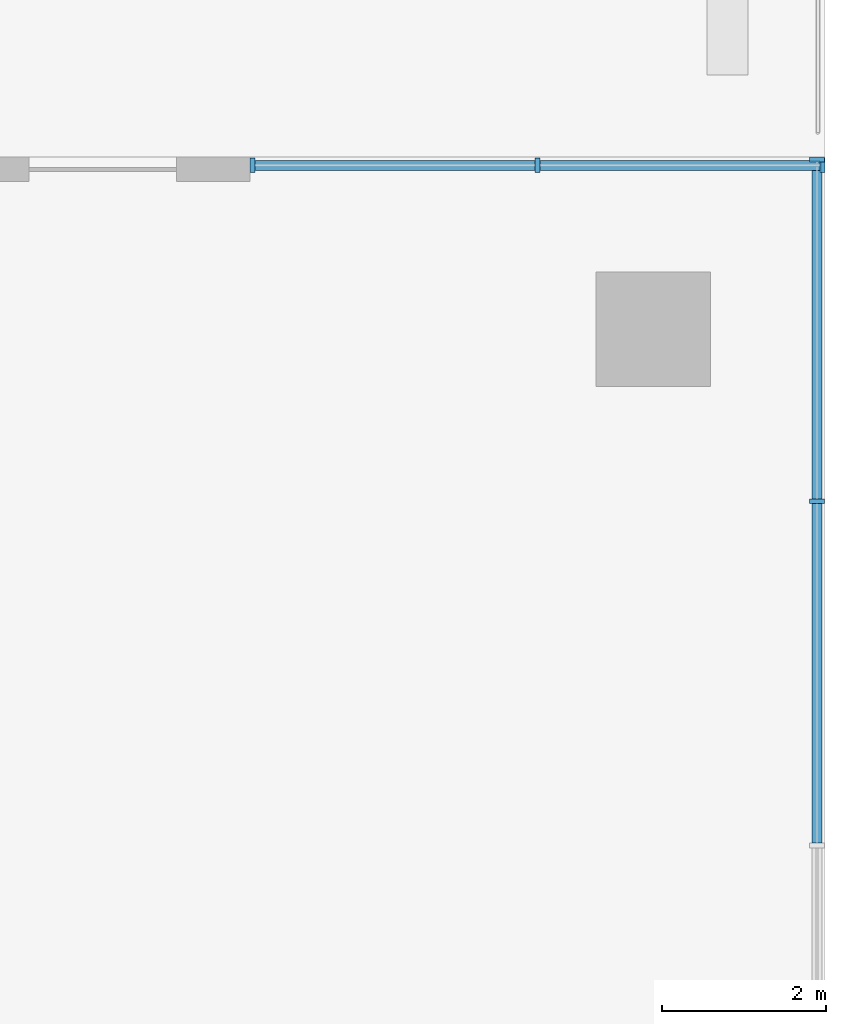
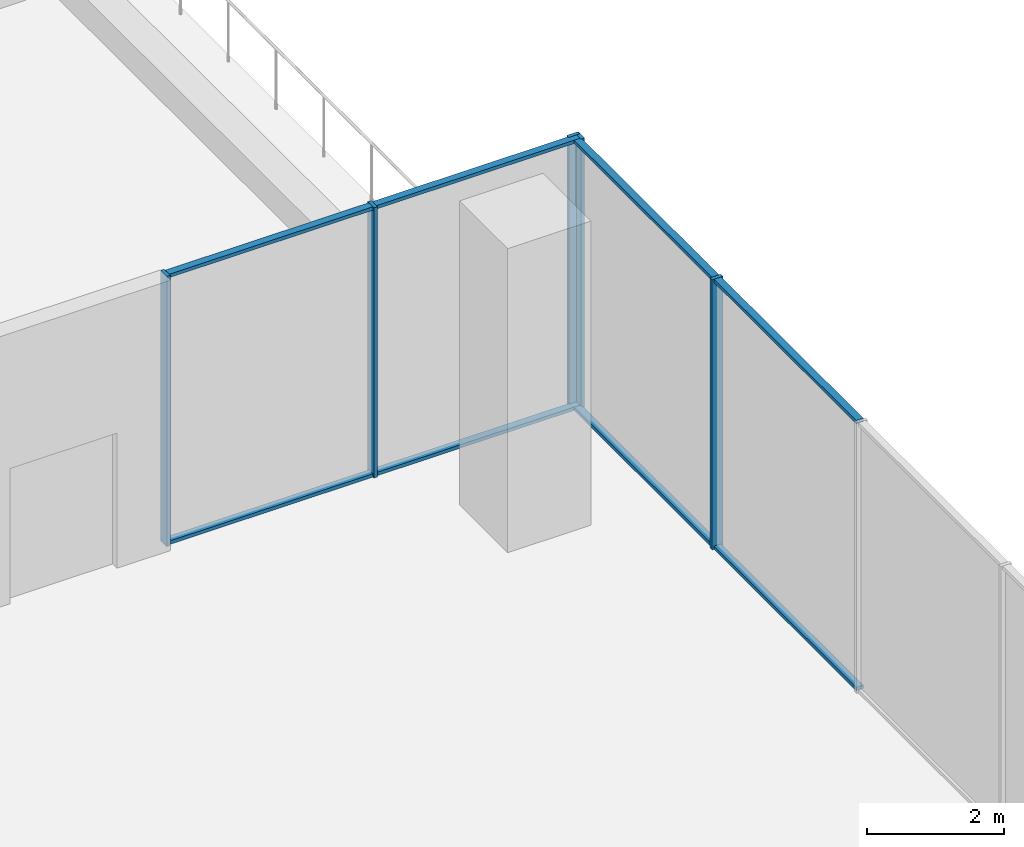
# One storey, part 9 of 23: 13 members, 2 elements without a shape of their own.
"""IFC4 building model written with IfcOpenShell, lengths in metres."""

from ifc_helpers import new_model, si_unit, direction, frame, origin, origin_2d, place, context, subcontext, project, spatial, rectangle, extrude, source, transform, mapped, material, layer, layer_set, material_profile, profile_set, type_object, element, aggregate, save


model = new_model("IFC4")

# Units and contexts
model_context = context("Model", 3, precision=1e-05, world=origin(), true_north=direction((0.0, 1.0)))
body_context = subcontext(model_context, "Body", "Model", "MODEL_VIEW")
ifc_project = project(units=[si_unit("LENGTHUNIT", "METRE"), si_unit("AREAUNIT", "SQUARE_METRE"), si_unit("VOLUMEUNIT", "CUBIC_METRE"), si_unit("PLANEANGLEUNIT", "RADIAN"), si_unit("MASSUNIT", "GRAM", prefix="KILO")], contexts=[model_context])

# Site, building, storey
site_placement = place(None, origin())
site = spatial("IfcSite", under=ifc_project, at=site_placement, CompositionType="ELEMENT")
building_placement = place(site_placement, origin())
building = spatial("IfcBuilding", under=site, at=building_placement, Name="Aurelian Terraces", CompositionType="ELEMENT")
storey_placement = place(building_placement, frame((0.0, 0.0, 23.7)))
storey = spatial("IfcBuildingStorey", under=building, at=storey_placement, Name="L04", CompositionType="ELEMENT", Elevation=23.7)

# Curtain wall, member
ifc_material_1 = material(Name="Anodised aluminium and clear glazing", Category="aluminium")
ifc_layer = layer(ifc_material_1, 0.2)
ifc_layer_set = layer_set([ifc_layer], Name="Winter garden glazing curtain wall")
curtain_wall_type = type_object("IfcCurtainWallType", Name="Winter garden glazing curtain wall", PredefinedType="NOTDEFINED", material=ifc_layer_set)
curtain_wall_1_placement = place(storey_placement, origin())
curtain_wall_1 = element("IfcCurtainWall", 1, at=curtain_wall_1_placement, inside=storey, type_object=curtain_wall_type, Name="Winter garden glazing L04 F03.1", PredefinedType="NOTDEFINED")
ifc_material_2 = material(Name="Anodised aluminium", Category="aluminium")
ifc_material_profile_1 = material_profile(ifc_material_2, rectangle(XDim=0.12, YDim=0.06, at=origin_2d()))
ifc_profile_set_1 = profile_set([ifc_material_profile_1], Name="Anodised aluminium")
member_type_1 = type_object("IfcMemberType", Name="Winter garden glazing transom", PredefinedType="USERDEFINED", material=ifc_profile_set_1)
member_1_placement = place(storey_placement, frame((71.76, 39.8, 0.03), z_axis=(-1.0, 0.0, 0.0), x_axis=(0.0, -1.0, 0.0)))
member_1 = element("IfcMember", 2, at=member_1_placement, type_object=member_type_1, Name="CW6 transom 1.1", ObjectType="TRANSOM", PredefinedType="USERDEFINED", context=body_context, shape_type="SweptSolid", body=[
    extrude(rectangle(XDim=0.12, YDim=0.06, at=origin_2d()), origin(), (0.0, 0.0, 1.0), 3.42),
])

# Curtain wall, members
curtain_wall_2_placement = place(storey_placement, origin())
curtain_wall_2 = element("IfcCurtainWall", 3, at=curtain_wall_2_placement, inside=storey, type_object=curtain_wall_type, Name="Winter garden glazing L04 F02.1", PredefinedType="NOTDEFINED")
ifc_material_profile_2 = material_profile(ifc_material_2, rectangle(XDim=0.18, YDim=0.06, at=origin_2d()))
ifc_profile_set_2 = profile_set([ifc_material_profile_2], Name="Anodised aluminium")
member_type_2 = type_object("IfcMemberType", Name="Winter garden glazing mullion", PredefinedType="MULLION", material=ifc_profile_set_2)
shared_shape_1 = source(origin(), body_context, "Body", "SweptSolid", [
    extrude(rectangle(XDim=0.18, YDim=0.06, at=origin_2d()), origin(), (0.0, 0.0, 1.0), 4.8),
])
member_2_placement = place(storey_placement, frame((71.72, 35.7, 0.0), z_axis=(0.0, 0.0, 1.0), x_axis=(-1.0, 0.0, 0.0)))
member_2 = element("IfcMember", 4, at=member_2_placement, type_object=member_type_2, Name="CW6 mullion 10", PredefinedType="MULLION", context=body_context, shape_type="MappedRepresentation", body=[
    mapped(shared_shape_1, transform((0.0, 0.0, 0.0), scale=1.0)),
])
member_3_placement = place(storey_placement, frame((71.72, 39.87, 0.0), z_axis=(0.0, 0.0, 1.0), x_axis=(-1.0, 0.0, 0.0)))
member_3 = element("IfcMember", 5, at=member_3_placement, type_object=member_type_2, Name="CW6 mullion 11", PredefinedType="MULLION", context=body_context, shape_type="MappedRepresentation", body=[
    mapped(shared_shape_1, transform((0.0, 0.0, 0.0), scale=1.0)),
])

# Member
member_4_placement = place(storey_placement, frame((71.79, 39.8, 0.0), z_axis=(0.0, 0.0, 1.0), x_axis=(0.0, -1.0, 0.0)))
member_4 = element("IfcMember", 6, at=member_4_placement, type_object=member_type_2, Name="CW6 mullion 1", PredefinedType="MULLION", context=body_context, shape_type="MappedRepresentation", body=[
    mapped(shared_shape_1, transform((0.0, 0.0, 0.0), scale=1.0)),
])

member_5_placement = place(storey_placement, frame((68.31, 39.8, 0.0), z_axis=(0.0, 0.0, 1.0), x_axis=(0.0, -1.0, 0.0)))
member_5 = element("IfcMember", 7, at=member_5_placement, type_object=member_type_2, Name="CW6 mullion 2", PredefinedType="MULLION", context=body_context, shape_type="MappedRepresentation", body=[
    mapped(shared_shape_1, transform((0.0, 0.0, 0.0), scale=1.0)),
])

member_6_placement = place(storey_placement, frame((64.83, 39.8, 0.0), z_axis=(0.0, 0.0, 1.0), x_axis=(0.0, -1.0, 0.0)))
member_6 = element("IfcMember", 8, at=member_6_placement, type_object=member_type_2, Name="CW6 mullion 3", PredefinedType="MULLION", context=body_context, shape_type="MappedRepresentation", body=[
    mapped(shared_shape_1, transform((0.0, 0.0, 0.0), scale=1.0)),
])

shared_shape_2 = source(origin(), body_context, "Body", "SweptSolid", [
    extrude(rectangle(XDim=0.12, YDim=0.06, at=origin_2d()), origin(), (0.0, 0.0, 1.0), 4.11),
])
member_7_placement = place(storey_placement, frame((71.72, 35.73, 0.03), z_axis=(0.0, 1.0, 0.0), x_axis=(-1.0, 0.0, 0.0)))
member_7 = element("IfcMember", 9, at=member_7_placement, type_object=member_type_1, Name="CW6 transom 10.1", ObjectType="TRANSOM", PredefinedType="USERDEFINED", context=body_context, shape_type="MappedRepresentation", body=[
    mapped(shared_shape_2, transform((0.0, 0.0, 0.0), scale=1.0)),
])

member_8_placement = place(storey_placement, frame((71.72, 35.73, 4.77), z_axis=(0.0, 1.0, 0.0), x_axis=(-1.0, 0.0, 0.0)))
member_8 = element("IfcMember", 10, at=member_8_placement, type_object=member_type_1, Name="CW6 transom 10.2", ObjectType="TRANSOM", PredefinedType="USERDEFINED", context=body_context, shape_type="MappedRepresentation", body=[
    mapped(shared_shape_2, transform((0.0, 0.0, 0.0), scale=1.0)),
])

shared_shape_3 = source(origin(), body_context, "Body", "SweptSolid", [
    extrude(rectangle(XDim=0.12, YDim=0.06, at=origin_2d()), origin(), (0.0, 0.0, 1.0), 4.14),
])
member_9_placement = place(storey_placement, frame((71.72, 31.53, 0.03), z_axis=(0.0, 1.0, 0.0), x_axis=(-1.0, 0.0, 0.0)))
member_9 = element("IfcMember", 11, at=member_9_placement, type_object=member_type_1, Name="CW6 transom 9.1", ObjectType="TRANSOM", PredefinedType="USERDEFINED", context=body_context, shape_type="MappedRepresentation", body=[
    mapped(shared_shape_3, transform((0.0, 0.0, 0.0), scale=1.0)),
])

member_10_placement = place(storey_placement, frame((71.72, 31.53, 4.77), z_axis=(0.0, 1.0, 0.0), x_axis=(-1.0, 0.0, 0.0)))
member_10 = element("IfcMember", 12, at=member_10_placement, type_object=member_type_1, Name="CW6 transom 9.2", ObjectType="TRANSOM", PredefinedType="USERDEFINED", context=body_context, shape_type="MappedRepresentation", body=[
    mapped(shared_shape_3, transform((0.0, 0.0, 0.0), scale=1.0)),
])

aggregate(curtain_wall_2, [member_2, member_3, member_9, member_10, member_7, member_8])

shared_shape_4 = source(origin(), body_context, "Body", "SweptSolid", [
    extrude(rectangle(XDim=0.12, YDim=0.06, at=origin_2d()), origin(), (0.0, 0.0, 1.0), 3.42),
])
member_11_placement = place(storey_placement, frame((71.76, 39.8, 4.77), z_axis=(-1.0, 0.0, 0.0), x_axis=(0.0, -1.0, 0.0)))
member_11 = element("IfcMember", 13, at=member_11_placement, type_object=member_type_1, Name="CW6 transom 1.2", ObjectType="TRANSOM", PredefinedType="USERDEFINED", context=body_context, shape_type="MappedRepresentation", body=[
    mapped(shared_shape_4, transform((0.0, 0.0, 0.0), scale=1.0)),
])

member_12_placement = place(storey_placement, frame((68.28, 39.8, 0.03), z_axis=(-1.0, 0.0, 0.0), x_axis=(0.0, -1.0, 0.0)))
member_12 = element("IfcMember", 14, at=member_12_placement, type_object=member_type_1, Name="CW6 transom 2.1", ObjectType="TRANSOM", PredefinedType="USERDEFINED", context=body_context, shape_type="MappedRepresentation", body=[
    mapped(shared_shape_4, transform((0.0, 0.0, 0.0), scale=1.0)),
])

member_13_placement = place(storey_placement, frame((68.28, 39.8, 4.77), z_axis=(-1.0, 0.0, 0.0), x_axis=(0.0, -1.0, 0.0)))
member_13 = element("IfcMember", 15, at=member_13_placement, type_object=member_type_1, Name="CW6 transom 2.2", ObjectType="TRANSOM", PredefinedType="USERDEFINED", context=body_context, shape_type="MappedRepresentation", body=[
    mapped(shared_shape_4, transform((0.0, 0.0, 0.0), scale=1.0)),
])

aggregate(curtain_wall_1, [member_4, member_5, member_6, member_1, member_11, member_12, member_13])

save(model, "model.ifc")
